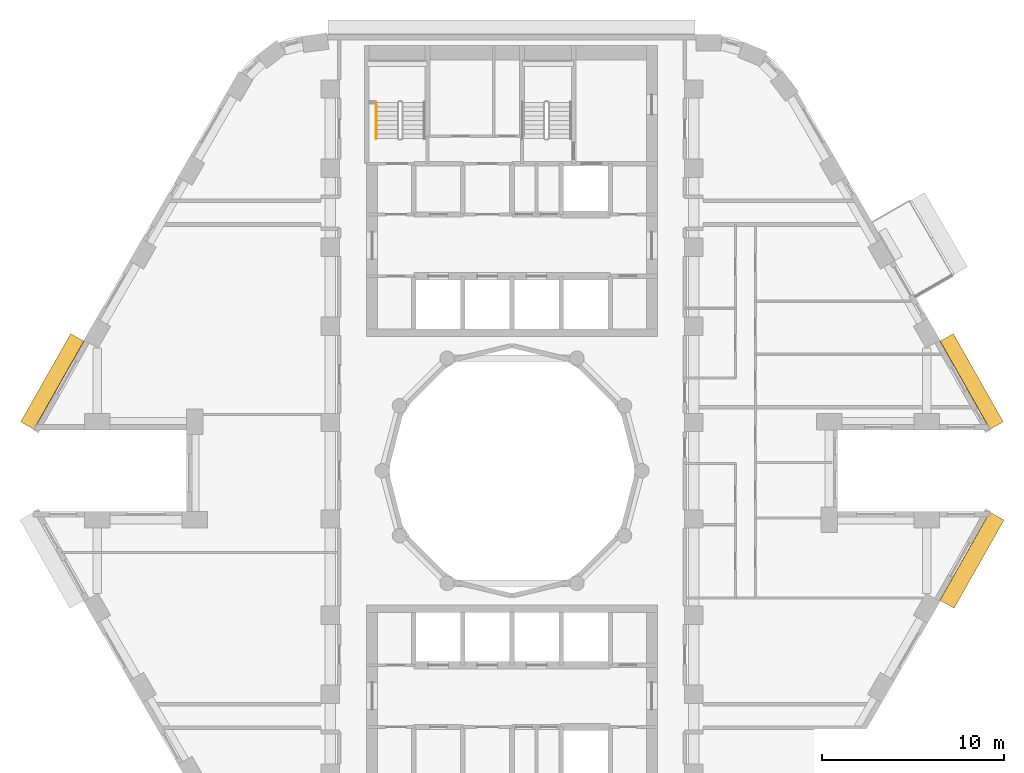
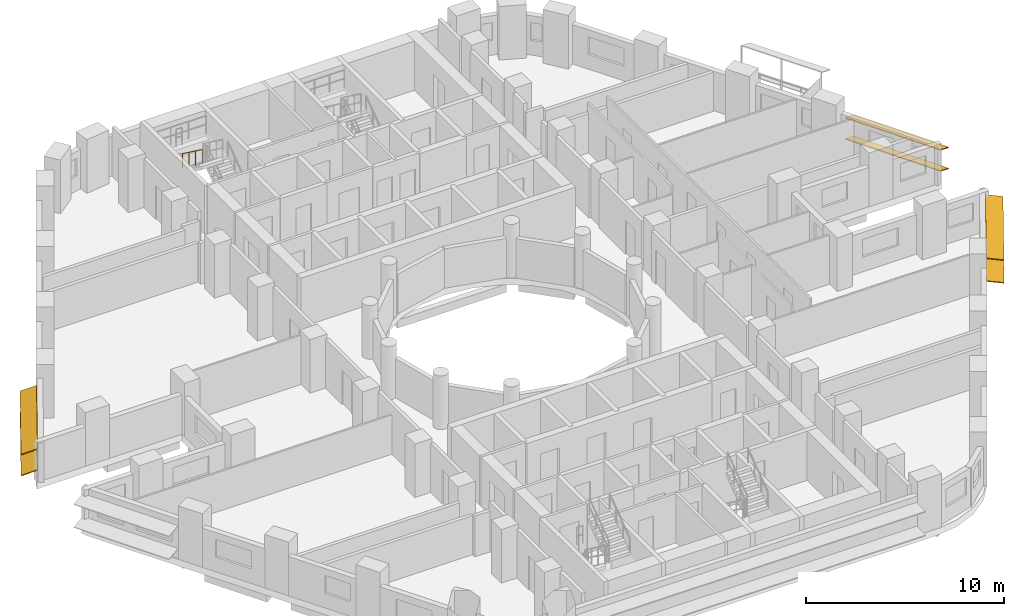
# One storey, part 12 of 13: 6 shading devices, 1 railing.
"""IFC4 building model written with IfcOpenShell, lengths in metres."""

from ifc_helpers import new_model, si_unit, direction, frame, origin, origin_2d, place, context, subcontext, project, spatial, rectangle, circle, extrude, material, material_profile, profile_set, type_object, element, save


model = new_model("IFC4")

# Units and contexts
model_context = context("Model", 3, precision=1e-05, world=origin(), true_north=direction((0.0, 1.0)))
body_context = subcontext(model_context, "Body", "Model", "MODEL_VIEW")
ifc_project = project(units=[si_unit("LENGTHUNIT", "METRE"), si_unit("AREAUNIT", "SQUARE_METRE"), si_unit("VOLUMEUNIT", "CUBIC_METRE"), si_unit("PLANEANGLEUNIT", "RADIAN"), si_unit("MASSUNIT", "GRAM", prefix="KILO")], contexts=[model_context])

# Site, building, storey
site_placement = place(None, origin())
site = spatial("IfcSite", under=ifc_project, at=site_placement, CompositionType="ELEMENT")
building_placement = place(site_placement, origin())
building = spatial("IfcBuilding", under=site, at=building_placement, Name="Nakaniwa Court", CompositionType="ELEMENT")
storey_placement = place(building_placement, frame((0.0, 0.0, 77.699951171875)))
storey = spatial("IfcBuildingStorey", under=building, at=storey_placement, Name="L19", CompositionType="ELEMENT", Elevation=77.699951171875)

# Shading devices
ifc_material_1 = material(Name="Perforated charcoal ceramic louvre blade")
ifc_material_profile = material_profile(ifc_material_1, rectangle(XDim=0.89990234375, YDim=0.050048828125, at=origin_2d()), Name="Perforated ceramic louvre blade")
ifc_profile_set = profile_set([ifc_material_profile], Name="Perforated charcoal ceramic louvre blade")
shading_device_type = type_object("IfcShadingDeviceType", Name="Perforated ceramic louvre blade", PredefinedType="JALOUSIE", material=ifc_profile_set)
for number, where, z_axis, x_axis, name in (
    (1, (106.662353515625, 82.480224609375, 0.550048828125), (-0.492438058427, 0.870347493024, 0.0), (-0.804676322539, -0.455281653718, 0.38107037635), "L19 perforated ceramic louvre blade w02 1"),
    (2, (106.662353515625, 82.480224609375, 1.845458984375), (-0.492438058427, 0.870347493024, 0.0), (-0.804676322539, -0.455281653718, 0.38107037635), "L19 perforated ceramic louvre blade w02 2"),
    (3, (56.083740234375, 87.333740234375, 0.550048828125), (-0.492438058427, -0.870347493024, 0.0), (0.804676322539, -0.455281653718, 0.38107037635), "L19 perforated ceramic louvre blade w14 1"),
    (4, (56.083740234375, 87.333740234375, 1.845458984375), (-0.492438058427, -0.870347493024, 0.0), (0.804676322539, -0.455281653718, 0.38107037635), "L19 perforated ceramic louvre blade w14 2"),
    (5, (103.93701171875, 72.654541015625, 0.550048828125), (0.492438058427, 0.870347493024, 0.0), (-0.862701960504, 0.488112256124, 0.132256390257), "L19 perforated ceramic louvre blade w32 1"),
    (6, (103.93701171875, 72.654541015625, 1.955810546875), (0.492438058427, 0.870347493024, 0.0), (-0.862701960504, 0.488112256124, 0.132256390257), "L19 perforated ceramic louvre blade w32 2"),
):
    element("IfcShadingDevice", number, at=place(storey_placement, frame(where, z_axis=z_axis, x_axis=x_axis)), inside=storey, type_object=shading_device_type, Name=name, PredefinedType="JALOUSIE", context=body_context, shape_type="SweptSolid", body=[
        extrude(rectangle(XDim=0.89990234375, YDim=0.050048828125, at=origin_2d()), origin(), (0.0, 0.0, 1.0), 5.576416015625),
    ])

# Railing
ifc_material_2 = material(Name="Black powder coated steel handrail", Category="steel")
railing_type = type_object("IfcRailingType", Name="Stair handrail 900", PredefinedType="HANDRAIL", material=ifc_material_2)
railing_placement = place(storey_placement, frame((72.52490234375, 100.27490234375, 1.83349609375)))
element("IfcRailing", 7, at=railing_placement, inside=storey, type_object=railing_type, Name="L19 ST1 stair handrail 2", PredefinedType="HANDRAIL", context=body_context, shape_type="SweptSolid", body=[
    extrude(circle(Radius=0.02392578125, at=origin_2d()), frame((0.0, 0.0, 0.8759765625), z_axis=(0.0, -0.806426902644, 0.591333789573), x_axis=(1.0, 0.0, 0.0)), (0.0, 0.0, 1.0), 2.47998046875),
    extrude(circle(Radius=0.02099609375, at=origin_2d()), origin(), (0.0, 0.0, 1.0), 0.851806640625),
    extrude(circle(Radius=0.02099609375, at=origin_2d()), frame((0.0, -0.666748046875, 0.48876953125)), (0.0, 0.0, 1.0), 0.851806640625),
    extrude(circle(Radius=0.02099609375, at=origin_2d()), frame((0.0, -1.333251953125, 0.977783203125)), (0.0, 0.0, 1.0), 0.851806640625),
    extrude(circle(Radius=0.02099609375, at=origin_2d()), frame((0.0, -2.0, 1.466552734375)), (0.0, 0.0, 1.0), 0.851806640625),
])

save(model, "model.ifc")
